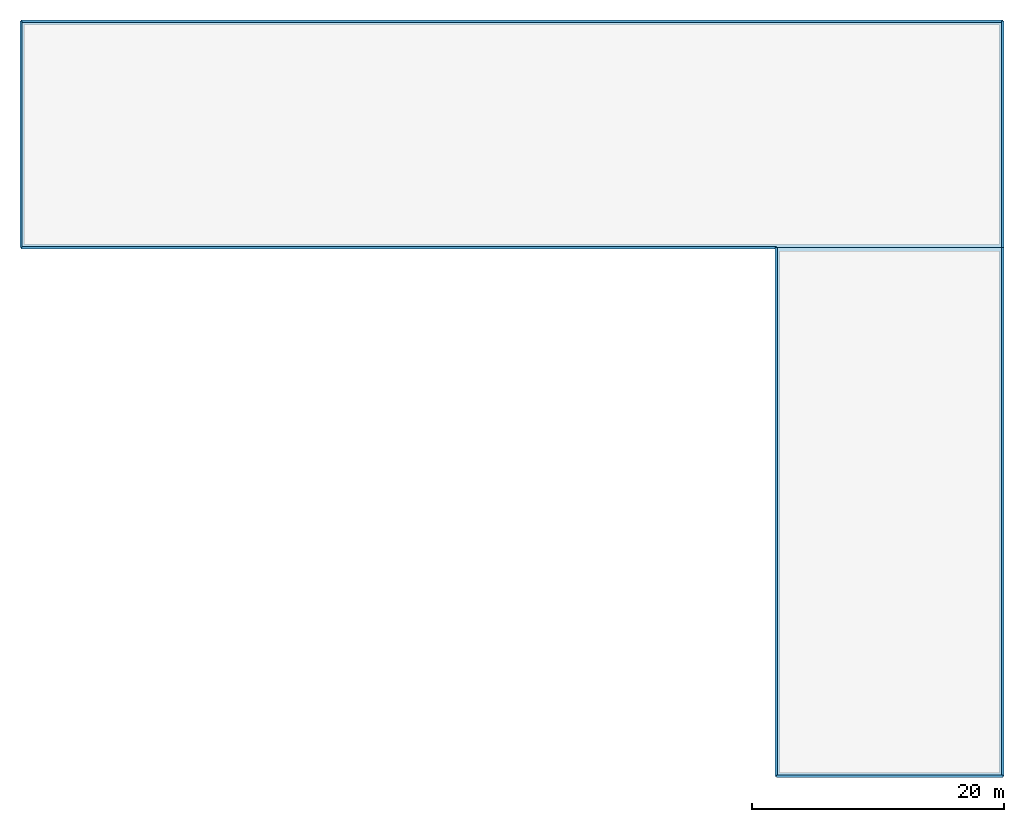
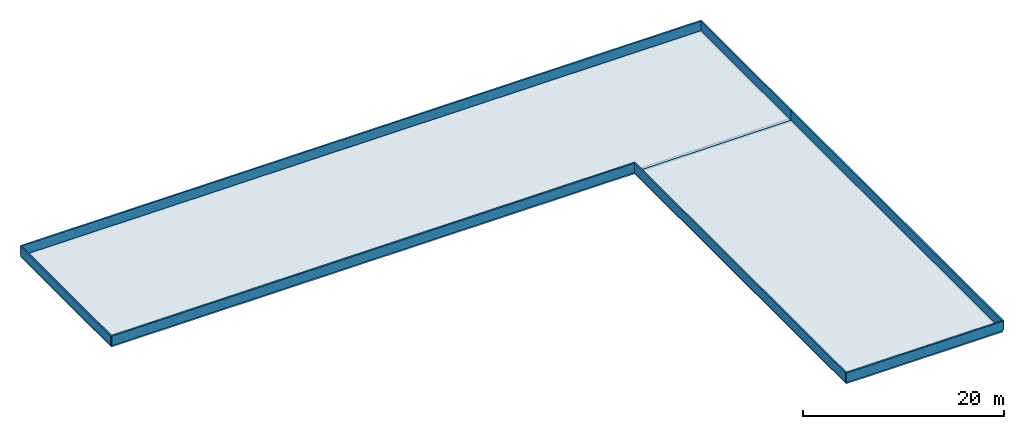
# One storey, part 1 of 2: 7 walls, 2 slabs.
"""IFC4 building model written with IfcOpenShell, lengths in metres."""

from ifc_helpers import new_model, si_unit, direction, frame, frame_2d, origin, place, context, subcontext, project, spatial, polyline, rectangle, outline, extrude, material, layer, layer_set, type_object, element, save


model = new_model("IFC4")

# Units and contexts
model_context = context("Model", 3, precision=1e-05, world=origin(), true_north=direction((0.0, 1.0)))
body_context = subcontext(model_context, "Body", "Model", "MODEL_VIEW")
ifc_project = project(units=[si_unit("LENGTHUNIT", "METRE"), si_unit("AREAUNIT", "SQUARE_METRE"), si_unit("VOLUMEUNIT", "CUBIC_METRE"), si_unit("PLANEANGLEUNIT", "RADIAN"), si_unit("MASSUNIT", "GRAM", prefix="KILO"), si_unit("THERMODYNAMICTEMPERATUREUNIT", "KELVIN"), si_unit("POWERUNIT", "WATT")], contexts=[model_context])

# Site, building, storey
site_placement = place(None, origin())
site = spatial("IfcSite", under=ifc_project, at=site_placement, CompositionType="ELEMENT")
building_placement = place(site_placement, origin())
building = spatial("IfcBuilding", under=site, at=building_placement, Name="Phaisarnlok Congress Hotel", CompositionType="ELEMENT")
storey_placement = place(building_placement, frame((0.0, 0.0, 54.60009765625)))
storey = spatial("IfcBuildingStorey", under=building, at=storey_placement, Name="ROOF", CompositionType="ELEMENT", Elevation=54.60009765625)

# Slabs
ifc_material = material(Name="Concrete C40/50", Category="concrete")
ifc_layer_1 = layer(ifc_material, 0.239990234375, Name="Concrete C40/50")
ifc_layer_set_1 = layer_set([ifc_layer_1], Name="Concrete C40/50")
slab_type = type_object("IfcSlabType", Name="SLB-ROOF-240", PredefinedType="ROOF", material=ifc_layer_set_1)
slab_1_placement = place(storey_placement, frame((0.0, 0.0, -0.239990234375)))
element("IfcSlab", 1, at=slab_1_placement, inside=storey, type_object=slab_type, Name="Main hotel roof slab SL-ROOF-240 (v5_n)", PredefinedType="ROOF", context=body_context, shape_type="SweptSolid", body=[
    extrude(outline(polyline([(102.0, 108.0), (180.0, 108.0), (180.0, 126.0), (102.0, 126.0), (102.0, 108.0)])), origin(), (0.0, 0.0, 1.0), 0.239990234375),
])
slab_2_placement = place(storey_placement, frame((0.0, 0.0, -0.239990234375)))
element("IfcSlab", 2, at=slab_2_placement, inside=storey, type_object=slab_type, Name="Main hotel roof slab SL-ROOF-240 (v5_e)", PredefinedType="ROOF", context=body_context, shape_type="SweptSolid", body=[
    extrude(outline(polyline([(162.0, 66.0), (180.0, 66.0), (180.0, 108.0), (162.0, 108.0), (162.0, 66.0)])), origin(), (0.0, 0.0, 1.0), 0.239990234375),
])

# Walls
ifc_layer_2 = layer(ifc_material, 0.169921875, Name="Concrete C40/50")
ifc_layer_set_2 = layer_set([ifc_layer_2], Name="Concrete C40/50")
wall_type_1 = type_object("IfcWallType", Name="WL-PAR-170", PredefinedType="PARAPET", material=ifc_layer_set_2)
wall_1_placement = place(storey_placement, frame((162.0, 66.0, 0.0), z_axis=(0.0, 0.0, 1.0), x_axis=(0.0, 1.0, 0.0)))
element("IfcWall", 3, at=wall_1_placement, inside=storey, type_object=wall_type_1, Name="Roof parapet wall WP-02", PredefinedType="PARAPET", context=body_context, shape_type="SweptSolid", body=[
    extrude(rectangle(XDim=42.0, YDim=0.169921875, at=frame_2d((21.0, 0.0))), origin(), (0.0, 0.0, 1.0), 1.14990234375),
])
for number, where, z_axis, x_axis, name in (
    (4, (102.0, 108.0, 0.0), (0.0, 0.0, 1.0), (0.0, 1.0, 0.0), "Roof parapet wall WP-02"),
    (5, (180.0, 126.0, 0.0), (0.0, 0.0, 1.0), (0.0, -1.0, 0.0), "Roof parapet wall WP-02"),
):
    element("IfcWall", number, at=place(storey_placement, frame(where, z_axis=z_axis, x_axis=x_axis)), inside=storey, type_object=wall_type_1, Name=name, PredefinedType="PARAPET", context=body_context, shape_type="SweptSolid", body=[
        extrude(rectangle(XDim=18.0, YDim=0.169921875, at=frame_2d((9.0, 0.0))), origin(), (0.0, 0.0, 1.0), 1.14990234375),
    ])
ifc_layer_3 = layer(ifc_material, 0.18994140625, Name="Concrete C40/50")
ifc_layer_set_3 = layer_set([ifc_layer_3], Name="Concrete C40/50")
wall_type_2 = type_object("IfcWallType", Name="WL-PAR-190", PredefinedType="PARAPET", material=ifc_layer_set_3)
wall_2_placement = place(storey_placement, frame((180.0, 66.0, 0.0), z_axis=(0.0, 0.0, 1.0), x_axis=(-1.0, 0.0, 0.0)))
element("IfcWall", 6, at=wall_2_placement, inside=storey, type_object=wall_type_2, Name="Roof parapet wall WP-01", PredefinedType="PARAPET", context=body_context, shape_type="SweptSolid", body=[
    extrude(rectangle(XDim=18.0, YDim=0.18994140625, at=frame_2d((9.0, 0.0))), origin(), (0.0, 0.0, 1.0), 1.14990234375),
])
wall_3_placement = place(storey_placement, frame((162.0, 108.0, 0.0), z_axis=(0.0, 0.0, 1.0), x_axis=(-1.0, 0.0, 0.0)))
element("IfcWall", 7, at=wall_3_placement, inside=storey, type_object=wall_type_2, Name="Roof parapet wall WP-01", PredefinedType="PARAPET", context=body_context, shape_type="SweptSolid", body=[
    extrude(rectangle(XDim=60.0, YDim=0.18994140625, at=frame_2d((30.0, 0.0))), origin(), (0.0, 0.0, 1.0), 1.14990234375),
])
wall_4_placement = place(storey_placement, frame((102.0, 126.0, 0.0), z_axis=(0.0, 0.0, 1.0), x_axis=(1.0, 0.0, 0.0)))
element("IfcWall", 8, at=wall_4_placement, inside=storey, type_object=wall_type_2, Name="Roof parapet wall WP-01", PredefinedType="PARAPET", context=body_context, shape_type="SweptSolid", body=[
    extrude(rectangle(XDim=78.0, YDim=0.18994140625, at=frame_2d((39.0, 0.0))), origin(), (0.0, 0.0, 1.0), 1.14990234375),
])
wall_5_placement = place(storey_placement, frame((180.0, 108.0, 0.0), z_axis=(0.0, 0.0, 1.0), x_axis=(0.0, -1.0, 0.0)))
element("IfcWall", 9, at=wall_5_placement, inside=storey, type_object=wall_type_2, Name="Roof parapet wall WP-01", PredefinedType="PARAPET", context=body_context, shape_type="SweptSolid", body=[
    extrude(rectangle(XDim=42.0, YDim=0.18994140625, at=frame_2d((21.0, 0.0))), origin(), (0.0, 0.0, 1.0), 1.14990234375),
])

save(model, "model.ifc")
